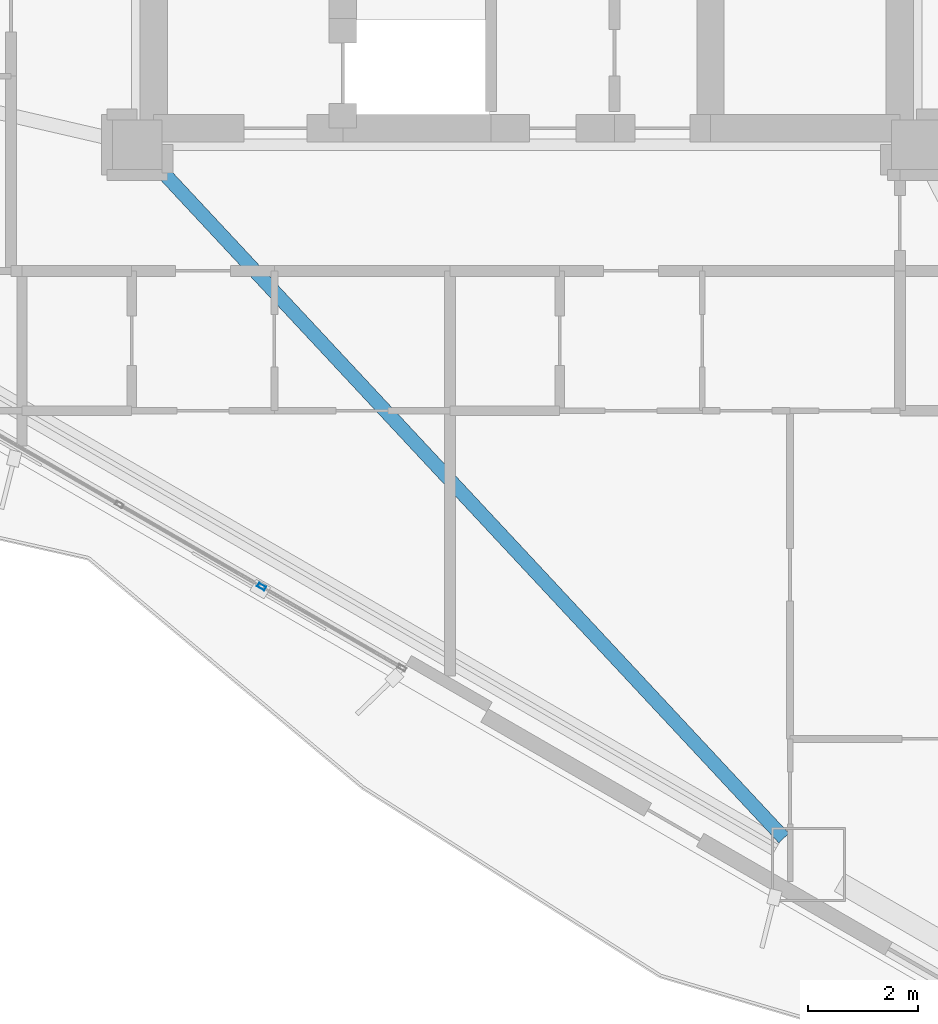
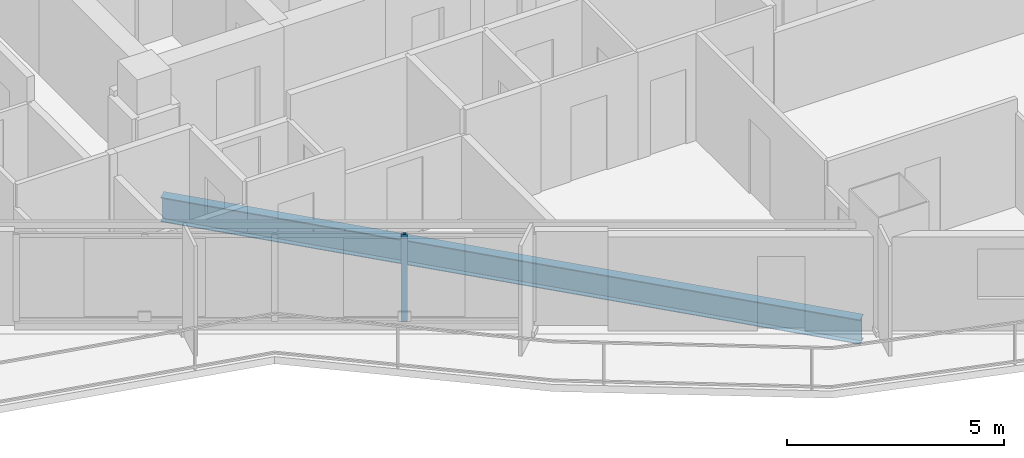
# One storey, part 4 of 18: 1 beam, 1 member, 1 element without a shape of its own.
"""IFC4 building model written with IfcOpenShell, lengths in metres."""

from ifc_helpers import new_model, si_unit, direction, frame, origin, origin_2d, place, context, subcontext, project, spatial, hollow_rectangle, i_section, extrude, material, layer, layer_set, material_profile, profile_set, type_object, element, aggregate, save


model = new_model("IFC4")

# Units and contexts
model_context = context("Model", 3, precision=1e-05, world=origin(), true_north=direction((0.0, 1.0)))
body_context = subcontext(model_context, "Body", "Model", "MODEL_VIEW")
ifc_project = project(units=[si_unit("LENGTHUNIT", "METRE"), si_unit("AREAUNIT", "SQUARE_METRE"), si_unit("VOLUMEUNIT", "CUBIC_METRE"), si_unit("PLANEANGLEUNIT", "RADIAN"), si_unit("MASSUNIT", "GRAM", prefix="KILO")], contexts=[model_context])

# Site, building, storey
site_placement = place(None, origin())
site = spatial("IfcSite", under=ifc_project, at=site_placement, CompositionType="ELEMENT")
building_placement = place(site_placement, origin())
building = spatial("IfcBuilding", under=site, at=building_placement, Name="Mersakhor Tower and Convention Hall", CompositionType="ELEMENT")
storey_placement = place(building_placement, frame((0.0, 0.0, 58.800048828125)))
storey = spatial("IfcBuildingStorey", under=building, at=storey_placement, Name="L16", CompositionType="ELEMENT", Elevation=58.800048828125)

# Beam
ifc_material_1 = material(Name="Steel S355", Category="steel")
ifc_material_profile_1 = material_profile(ifc_material_1, i_section(OverallWidth=0.25439453125, OverallDepth=0.6875, WebThickness=0.01318359375, FlangeThickness=0.02099609375, at=origin_2d()), Name="UB 686x254x152")
ifc_profile_set_1 = profile_set([ifc_material_profile_1], Name="Steel S355")
beam_type = type_object("IfcBeamType", Name="BM-PR-686", PredefinedType="BEAM", material=ifc_profile_set_1)
beam_placement = place(storey_placement, frame((22.193359375, 20.135498046875, -0.603759765625), z_axis=(0.68200435324, -0.731348112845, 0.0), x_axis=(0.731348112845, 0.68200435324, 0.0)))
element("IfcBeam", 1, at=beam_placement, inside=storey, type_object=beam_type, Name="L16 Primary Floor Girder FG-5", PredefinedType="BEAM", context=body_context, shape_type="SweptSolid", body=[
    extrude(i_section(OverallWidth=0.25439453125, OverallDepth=0.6875, WebThickness=0.01318359375, FlangeThickness=0.02099609375, at=origin_2d()), origin(), (0.0, 0.0, 1.0), 16.85205078125),
])

# Curtain wall, member
ifc_material_2 = material(Name="Dark solar low-E aluminium curtain wall", Category="aluminium")
ifc_layer = layer(ifc_material_2, 0.159912109375)
ifc_layer_set = layer_set([ifc_layer], Name="Dark solar low-E aluminium curtain wall")
curtain_wall_type = type_object("IfcCurtainWallType", Name="CW-SYS-01", PredefinedType="USERDEFINED", material=ifc_layer_set)
curtain_wall_placement = place(storey_placement, origin())
curtain_wall = element("IfcCurtainWall", 2, at=curtain_wall_placement, inside=storey, type_object=curtain_wall_type, Name="L16 Dark-Glass Curtain Wall F3-B2", ObjectType="CURTAIN WALL", PredefinedType="USERDEFINED")
ifc_material_3 = material(Name="Anodised aluminium EN AW-6063 T6", Category="aluminium")
ifc_material_profile_2 = material_profile(ifc_material_3, hollow_rectangle(XDim=0.074951171875, YDim=0.14990234375, WallThickness=0.00634765625, at=origin_2d()), Name="RHS 150x75x6.3")
ifc_profile_set_2 = profile_set([ifc_material_profile_2], Name="Anodised aluminium EN AW-6063 T6")
member_type = type_object("IfcMemberType", Name="CWM-150x75", PredefinedType="MULLION", material=ifc_profile_set_2)
member_placement = place(storey_placement, frame((24.167236328125, 12.392822265625, 0.199951171875), z_axis=(0.0, 0.0, 1.0), x_axis=(-0.50000344889, -0.866023412558, 0.0)))
member = element("IfcMember", 3, at=member_placement, type_object=member_type, Name="CW-01 mullion 2", PredefinedType="MULLION", context=body_context, shape_type="SweptSolid", body=[
    extrude(hollow_rectangle(XDim=0.074951171875, YDim=0.14990234375, WallThickness=0.00634765625, at=origin_2d()), origin(), (0.0, 0.0, 1.0), 2.43994140625),
])
aggregate(curtain_wall, [member])

save(model, "model.ifc")
